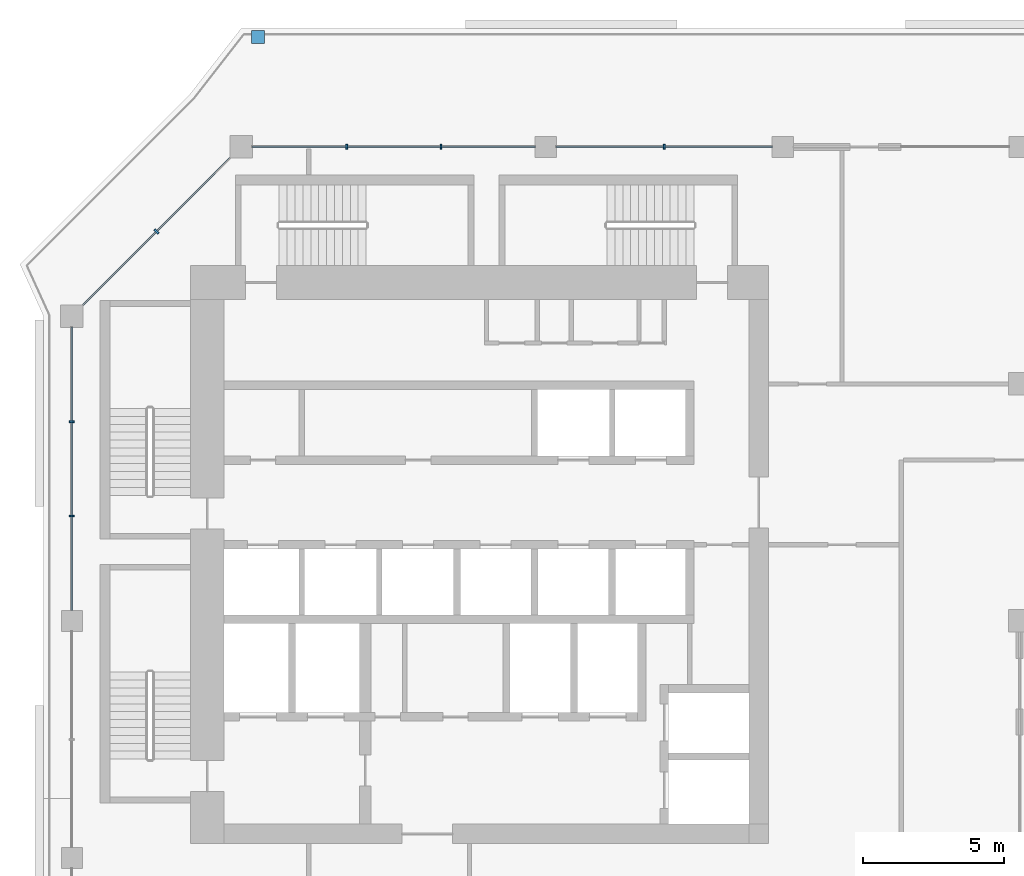
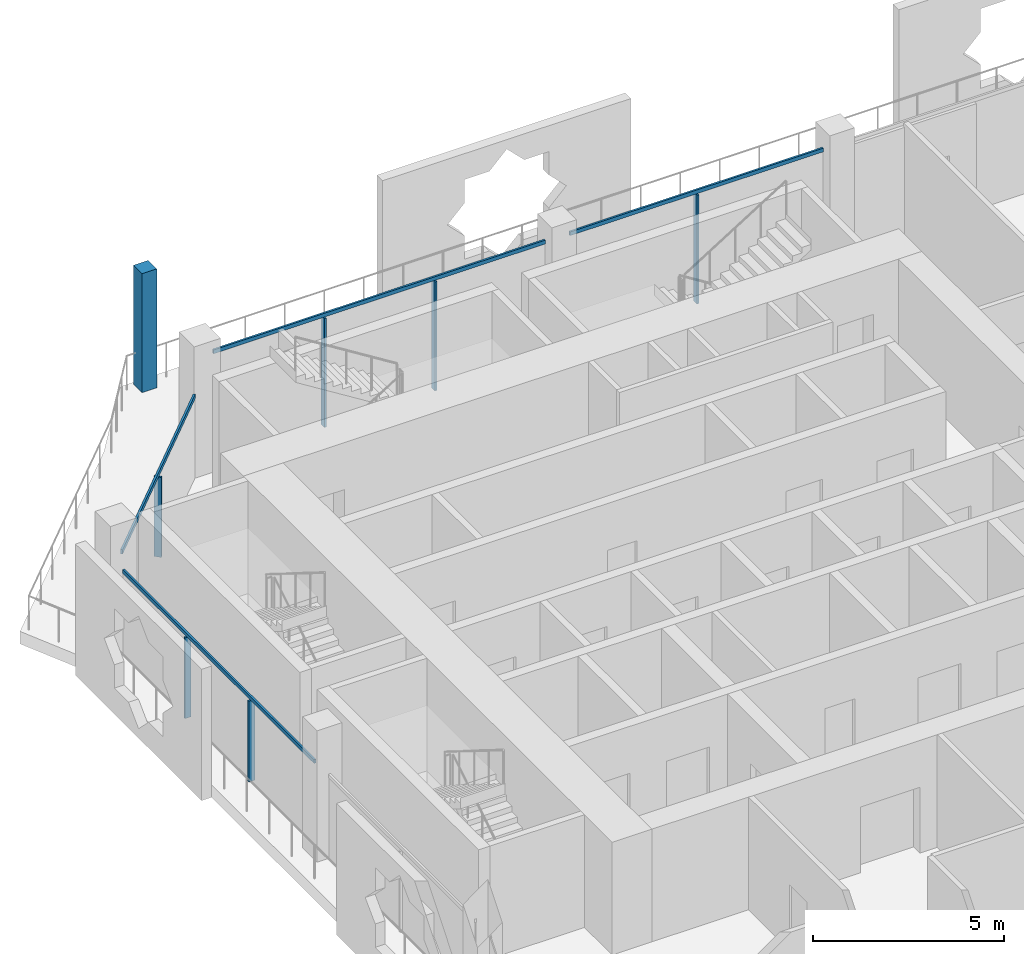
# One storey, part 6 of 20: 11 members, 4 elements without a shape of their own.
"""IFC4 building model written with IfcOpenShell, lengths in metres."""

from ifc_helpers import new_model, si_unit, direction, frame, origin, origin_2d, place, context, subcontext, project, spatial, rectangle, extrude, material, layer, layer_set, material_profile, profile_set, type_object, element, aggregate, save


model = new_model("IFC4")

# Units and contexts
model_context = context("Model", 3, precision=1e-05, world=origin(), true_north=direction((0.0, 1.0)))
body_context = subcontext(model_context, "Body", "Model", "MODEL_VIEW")
ifc_project = project(units=[si_unit("LENGTHUNIT", "METRE"), si_unit("AREAUNIT", "SQUARE_METRE"), si_unit("VOLUMEUNIT", "CUBIC_METRE"), si_unit("PLANEANGLEUNIT", "RADIAN"), si_unit("MASSUNIT", "GRAM", prefix="KILO")], contexts=[model_context])

# Site, building, storey
site_placement = place(None, origin())
site = spatial("IfcSite", under=ifc_project, at=site_placement, CompositionType="ELEMENT")
building_placement = place(site_placement, origin())
building = spatial("IfcBuilding", under=site, at=building_placement, Name="Kawkab Arch Medical Tower", CompositionType="ELEMENT")
storey_placement = place(building_placement, frame((0.0, 0.0, 277.60009765625)))
storey = spatial("IfcBuildingStorey", under=building, at=storey_placement, Name="L64", CompositionType="ELEMENT", Elevation=277.60009765625)

# Curtain wall, members
ifc_material_1 = material(Name="Bronze anodised aluminium curtain wall frame", Category="aluminium")
ifc_layer_1 = layer(ifc_material_1, 0.159912109375)
ifc_layer_set_1 = layer_set([ifc_layer_1], Name="Bronze anodised aluminium curtain wall frame")
curtain_wall_type_1 = type_object("IfcCurtainWallType", Name="CW1 ward curtain wall", PredefinedType="NOTDEFINED", material=ifc_layer_set_1)
placement = place(storey_placement, origin())
curtain_wall_1 = element("IfcCurtainWall", 1, at=placement, inside=storey, type_object=curtain_wall_type_1, Name="CW1 Ward curtain wall R10", PredefinedType="NOTDEFINED")
ifc_material_2 = material(Name="Bronze anodised aluminium curtain wall frame", Category="aluminium")
ifc_material_profile_1 = material_profile(ifc_material_2, rectangle(XDim=0.179931640625, YDim=0.06005859375, at=origin_2d()), Name="AL 60x180")
ifc_profile_set_1 = profile_set([ifc_material_profile_1], Name="Bronze anodised aluminium curtain wall frame")
member_type_1 = type_object("IfcMemberType", Name="CW1 mullion 60 x 180", PredefinedType="MULLION", material=ifc_profile_set_1)
member_1_placement = place(storey_placement, frame((21.0, 0.0, 0.0), z_axis=(0.0, 0.0, 1.0), x_axis=(0.0, -1.0, 0.0)))
member_1 = element("IfcMember", 2, at=member_1_placement, type_object=member_type_1, Name="CW1 mullion 4.1", PredefinedType="MULLION", context=body_context, shape_type="SweptSolid", body=[
    extrude(rectangle(XDim=0.179931640625, YDim=0.06005859375, at=origin_2d()), origin(), (0.0, 0.0, 1.0), 3.47998046875),
])
member_2_placement = place(storey_placement, frame((13.083251953125, 0.0, 0.0), z_axis=(0.0, 0.0, 1.0), x_axis=(0.0, -1.0, 0.0)))
member_2 = element("IfcMember", 3, at=member_2_placement, type_object=member_type_1, Name="CW1 mullion 5.1", PredefinedType="MULLION", context=body_context, shape_type="SweptSolid", body=[
    extrude(rectangle(XDim=0.179931640625, YDim=0.06005859375, at=origin_2d()), origin(), (0.0, 0.0, 1.0), 3.47998046875),
])
member_3_placement = place(storey_placement, frame((9.74169921875, 0.0, 0.0), z_axis=(0.0, 0.0, 1.0), x_axis=(0.0, -1.0, 0.0)))
member_3 = element("IfcMember", 4, at=member_3_placement, type_object=member_type_1, Name="CW1 mullion 5.2", PredefinedType="MULLION", context=body_context, shape_type="SweptSolid", body=[
    extrude(rectangle(XDim=0.179931640625, YDim=0.06005859375, at=origin_2d()), origin(), (0.0, 0.0, 1.0), 3.47998046875),
])

curtain_wall_2 = element("IfcCurtainWall", 5, at=placement, inside=storey, type_object=curtain_wall_type_1, Name="CW1 Ward curtain wall R12", PredefinedType="NOTDEFINED")
member_4_placement = place(storey_placement, frame((0.0, -9.74169921875, 0.0), z_axis=(0.0, 0.0, 1.0), x_axis=(1.0, 0.0, 0.0)))
member_4 = element("IfcMember", 6, at=member_4_placement, type_object=member_type_1, Name="CW1 mullion 1.1", PredefinedType="MULLION", context=body_context, shape_type="SweptSolid", body=[
    extrude(rectangle(XDim=0.179931640625, YDim=0.06005859375, at=origin_2d()), origin(), (0.0, 0.0, 1.0), 2.579833984375),
])
member_5_placement = place(storey_placement, frame((0.0, -13.083251953125, 0.0), z_axis=(0.0, 0.0, 1.0), x_axis=(1.0, 0.0, 0.0)))
member_5 = element("IfcMember", 7, at=member_5_placement, type_object=member_type_1, Name="CW1 mullion 1.2", PredefinedType="MULLION", context=body_context, shape_type="SweptSolid", body=[
    extrude(rectangle(XDim=0.179931640625, YDim=0.06005859375, at=origin_2d()), origin(), (0.0, 0.0, 1.0), 2.579833984375),
])

# Member
ifc_material_3 = material(Name="Bronze anodised aluminium curtain wall frame", Category="aluminium")
ifc_material_profile_2 = material_profile(ifc_material_3, rectangle(XDim=0.06005859375, YDim=0.1201171875, at=origin_2d()), Name="AL 60x120")
ifc_profile_set_2 = profile_set([ifc_material_profile_2], Name="Bronze anodised aluminium curtain wall frame")
member_type_2 = type_object("IfcMemberType", Name="CW1 transom 120 x 60", PredefinedType="USERDEFINED", material=ifc_profile_set_2)
member_6_placement = place(storey_placement, frame((24.824951171875, 0.0, 3.539794921875), z_axis=(-1.0, 0.0, 0.0), x_axis=(0.0, -1.0, 0.0)))
member_6 = element("IfcMember", 8, at=member_6_placement, type_object=member_type_2, Name="CW1 transom 4", ObjectType="TRANSOM", PredefinedType="USERDEFINED", context=body_context, shape_type="SweptSolid", body=[
    extrude(rectangle(XDim=0.06005859375, YDim=0.1201171875, at=origin_2d()), origin(), (0.0, 0.0, 1.0), 7.64990234375),
])

member_7_placement = place(storey_placement, frame((16.425048828125, 0.0, 3.539794921875), z_axis=(-1.0, 0.0, 0.0), x_axis=(0.0, -1.0, 0.0)))
member_7 = element("IfcMember", 9, at=member_7_placement, type_object=member_type_2, Name="CW1 transom 5", ObjectType="TRANSOM", PredefinedType="USERDEFINED", context=body_context, shape_type="SweptSolid", body=[
    extrude(rectangle(XDim=0.06005859375, YDim=0.1201171875, at=origin_2d()), origin(), (0.0, 0.0, 1.0), 10.025146484375),
])

aggregate(curtain_wall_1, [member_6, member_1, member_7, member_2, member_3])

member_8_placement = place(storey_placement, frame((0.0, -6.39990234375, 2.639892578125), z_axis=(0.0, -1.0, 0.0), x_axis=(1.0, 0.0, 0.0)))
member_8 = element("IfcMember", 10, at=member_8_placement, type_object=member_type_2, Name="CW1 transom 1", ObjectType="TRANSOM", PredefinedType="USERDEFINED", context=body_context, shape_type="SweptSolid", body=[
    extrude(rectangle(XDim=0.06005859375, YDim=0.1201171875, at=origin_2d()), origin(), (0.0, 0.0, 1.0), 10.025146484375),
])

aggregate(curtain_wall_2, [member_8, member_4, member_5])

# Curtain wall, members
ifc_material_4 = material(Name="Bronze anodised aluminium curtain wall frame", Category="aluminium")
ifc_layer_2 = layer(ifc_material_4, 0.159912109375)
ifc_layer_set_2 = layer_set([ifc_layer_2], Name="Bronze anodised aluminium curtain wall frame")
curtain_wall_type_2 = type_object("IfcCurtainWallType", Name="CW2 chamfer curtain wall", PredefinedType="NOTDEFINED", material=ifc_layer_set_2)
curtain_wall_3 = element("IfcCurtainWall", 11, at=placement, inside=storey, type_object=curtain_wall_type_2, Name="CW2 Chamfer curtain wall R11", PredefinedType="NOTDEFINED")
ifc_material_5 = material(Name="Bronze anodised aluminium curtain wall frame", Category="aluminium")
ifc_material_profile_3 = material_profile(ifc_material_5, rectangle(XDim=0.199951171875, YDim=0.06005859375, at=origin_2d()), Name="AL 60x200")
ifc_profile_set_3 = profile_set([ifc_material_profile_3], Name="Bronze anodised aluminium curtain wall frame")
member_type_3 = type_object("IfcMemberType", Name="CW2 mullion 60 x 200", PredefinedType="MULLION", material=ifc_profile_set_3)
member_9_placement = place(storey_placement, frame((3.0, -3.0, 0.0), z_axis=(0.0, 0.0, 1.0), x_axis=(0.707106781187, -0.707106781187, 0.0)))
member_9 = element("IfcMember", 12, at=member_9_placement, type_object=member_type_3, Name="CW2 mullion 1.1", PredefinedType="MULLION", context=body_context, shape_type="SweptSolid", body=[
    extrude(rectangle(XDim=0.199951171875, YDim=0.06005859375, at=origin_2d()), origin(), (0.0, 0.0, 1.0), 2.559814453125),
])
ifc_material_6 = material(Name="Bronze anodised aluminium curtain wall frame", Category="aluminium")
ifc_material_profile_4 = material_profile(ifc_material_6, rectangle(XDim=0.06005859375, YDim=0.139892578125, at=origin_2d()), Name="AL 60x140")
ifc_profile_set_4 = profile_set([ifc_material_profile_4], Name="Bronze anodised aluminium curtain wall frame")
member_type_4 = type_object("IfcMemberType", Name="CW2 transom 140 x 60", PredefinedType="USERDEFINED", material=ifc_profile_set_4)
member_10_placement = place(storey_placement, frame((5.60009765625, -0.39990234375, 2.6298828125), z_axis=(-0.707106781187, -0.707106781187, 0.0), x_axis=(0.707106781187, -0.707106781187, 0.0)))
member_10 = element("IfcMember", 13, at=member_10_placement, type_object=member_type_4, Name="CW2 transom 1", ObjectType="TRANSOM", PredefinedType="USERDEFINED", context=body_context, shape_type="SweptSolid", body=[
    extrude(rectangle(XDim=0.06005859375, YDim=0.139892578125, at=origin_2d()), origin(), (0.0, 0.0, 1.0), 7.354248046875),
])
aggregate(curtain_wall_3, [member_10, member_9])

# Curtain wall, member
ifc_material_7 = material(Name="Bronze anodised aluminium climber frame, planted", Category="aluminium")
ifc_layer_3 = layer(ifc_material_7, 0.449951171875)
ifc_layer_set_3 = layer_set([ifc_layer_3], Name="Bronze anodised aluminium climber frame, planted")
curtain_wall_type_3 = type_object("IfcCurtainWallType", Name="Planted climber frame", PredefinedType="NOTDEFINED", material=ifc_layer_set_3)
curtain_wall_4 = element("IfcCurtainWall", 14, at=placement, inside=storey, type_object=curtain_wall_type_3, Name="Planted climber frame L64", PredefinedType="NOTDEFINED")
ifc_material_8 = material(Name="Bronze anodised aluminium climber frame, planted", Category="aluminium")
ifc_material_profile_5 = material_profile(ifc_material_8, rectangle(XDim=0.449951171875, YDim=0.449951171875, at=origin_2d()), Name="Post 450x450")
ifc_profile_set_5 = profile_set([ifc_material_profile_5], Name="Bronze anodised aluminium climber frame, planted")
member_type_5 = type_object("IfcMemberType", Name="Planted climber post 450 x 450", PredefinedType="MULLION", material=ifc_profile_set_5)
member_11_placement = place(storey_placement, frame((6.596923828125, 3.89990234375, 0.0), z_axis=(0.0, 0.0, 1.0), x_axis=(1.0, 0.0, 0.0)))
member_11 = element("IfcMember", 15, at=member_11_placement, type_object=member_type_5, Name="Planted climber post L64.LOG-01-01.5", PredefinedType="MULLION", context=body_context, shape_type="SweptSolid", body=[
    extrude(rectangle(XDim=0.449951171875, YDim=0.449951171875, at=origin_2d()), origin(), (0.0, 0.0, 1.0), 3.7998046875),
])
aggregate(curtain_wall_4, [member_11])

save(model, "model.ifc")
